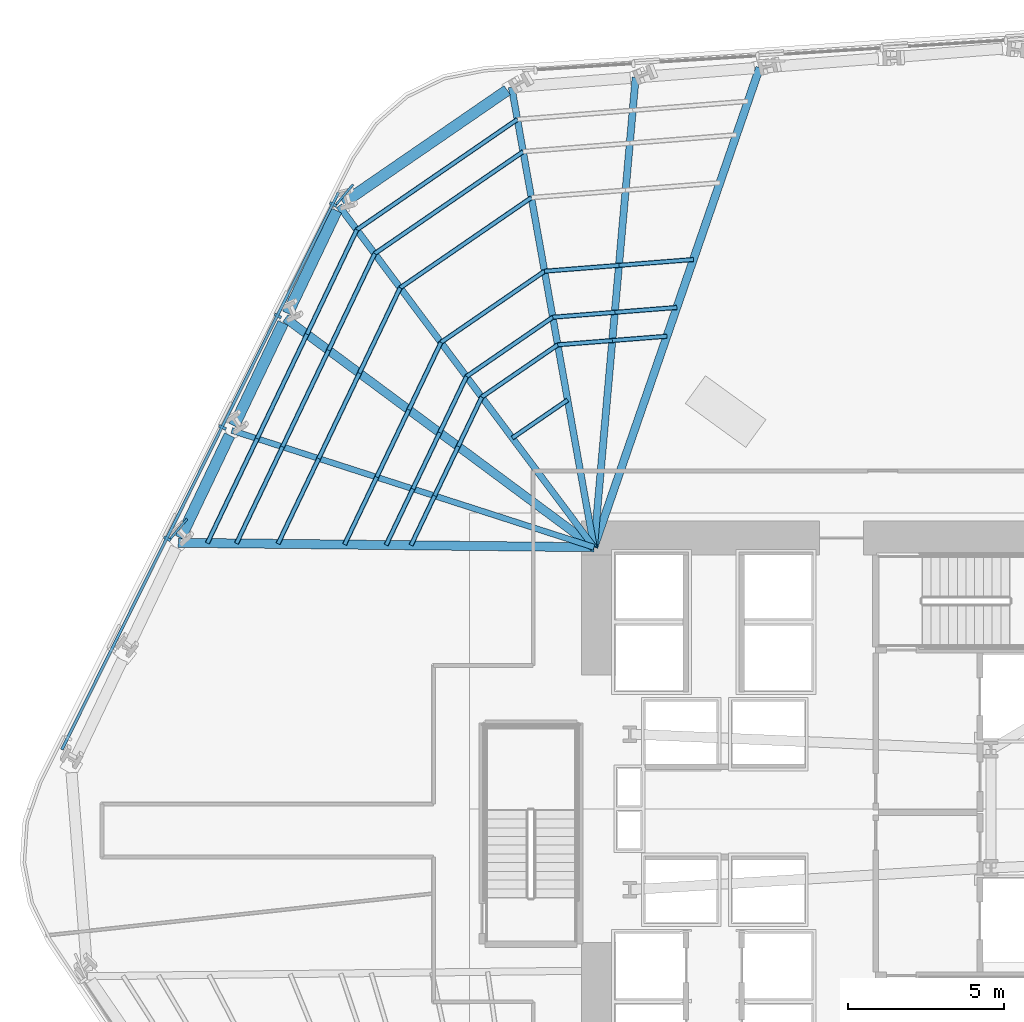
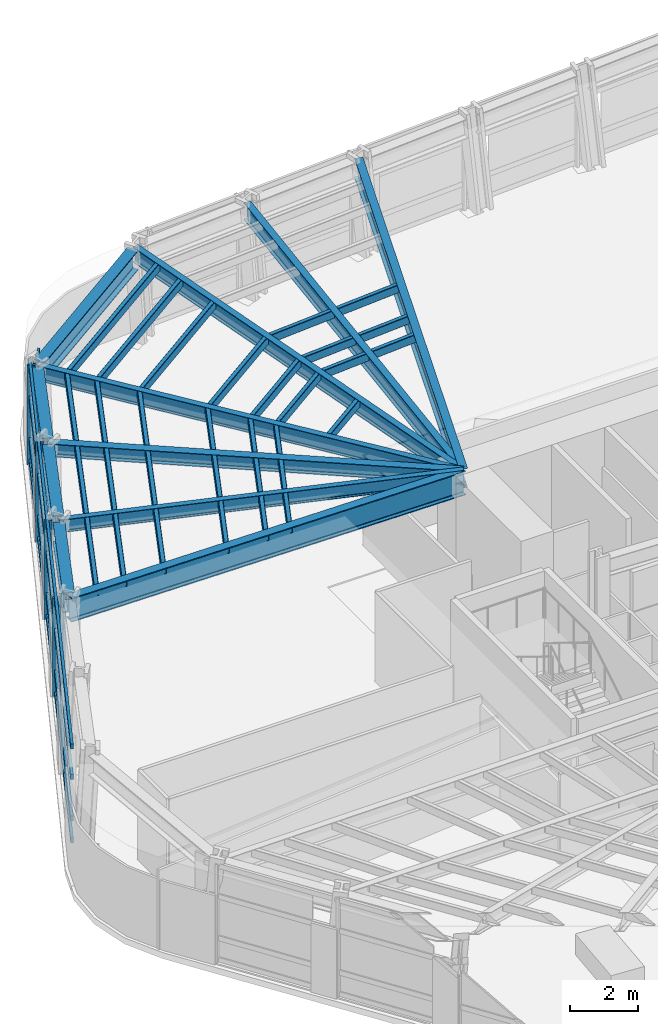
# One storey, part 5 of 15: 41 members, 11 beams, 1 element without a shape of its own.
"""IFC4 building model written with IfcOpenShell, lengths in metres."""

from ifc_helpers import new_model, si_unit, direction, frame, origin, origin_2d, place, context, subcontext, project, spatial, rectangle, hollow_rectangle, i_section, extrude, material, layer, layer_set, material_profile, profile_set, type_object, element, aggregate, save


model = new_model("IFC4")

# Units and contexts
model_context = context("Model", 3, precision=1e-05, world=origin(), true_north=direction((0.0, 1.0)))
body_context = subcontext(model_context, "Body", "Model", "MODEL_VIEW")
ifc_project = project(units=[si_unit("LENGTHUNIT", "METRE"), si_unit("AREAUNIT", "SQUARE_METRE"), si_unit("VOLUMEUNIT", "CUBIC_METRE"), si_unit("PLANEANGLEUNIT", "RADIAN"), si_unit("MASSUNIT", "GRAM", prefix="KILO")], contexts=[model_context])

# Site, building, storey
site_placement = place(None, origin())
site = spatial("IfcSite", under=ifc_project, at=site_placement, CompositionType="ELEMENT")
building_placement = place(site_placement, origin())
building = spatial("IfcBuilding", under=site, at=building_placement, Name="Valkerne Bourse Tower", CompositionType="ELEMENT")
storey_placement = place(building_placement, frame((0.0, 0.0, 39.199951171875)))
storey = spatial("IfcBuildingStorey", under=building, at=storey_placement, Name="L09", CompositionType="ELEMENT", Elevation=39.199951171875)

# Beams
ifc_material_1 = material(Name="Steel ASTM A992", Category="steel")
ifc_material_profile_1 = material_profile(ifc_material_1, i_section(OverallWidth=0.1904296875, OverallDepth=0.457275390625, WebThickness=0.009033203125, FlangeThickness=0.014404296875, FilletRadius=0.01513671875, at=origin_2d()), Name="W18X50")
ifc_profile_set_1 = profile_set([ifc_material_profile_1], Name="Steel ASTM A992")
beam_type_1 = type_object("IfcBeamType", Name="BM-W18X50", PredefinedType="JOIST", material=ifc_profile_set_1)
beam_1_placement = place(storey_placement, frame((25.968994140625, 39.1494140625, 3.3515625), z_axis=(0.951767347802, -0.306820657156, 0.0), x_axis=(0.306820657156, 0.951767347802, 0.0)))
element("IfcBeam", 1, at=beam_1_placement, inside=storey, type_object=beam_type_1, Name="L09 Radial Composite Floor Beam 14", PredefinedType="JOIST", context=body_context, shape_type="SweptSolid", body=[
    extrude(i_section(OverallWidth=0.1904296875, OverallDepth=0.457275390625, WebThickness=0.009033203125, FlangeThickness=0.014404296875, FilletRadius=0.01513671875, at=origin_2d()), origin(), (0.0, 0.0, 1.0), 12.220458984375),
])
ifc_material_profile_2 = material_profile(ifc_material_1, i_section(OverallWidth=0.279296875, OverallDepth=0.46240234375, WebThickness=0.0107421875, FlangeThickness=0.017333984375, FilletRadius=0.017822265625, at=origin_2d()), Name="W18X76")
ifc_profile_set_2 = profile_set([ifc_material_profile_2], Name="Steel ASTM A992")
beam_type_2 = type_object("IfcBeamType", Name="BM-W18X76", PredefinedType="BEAM", material=ifc_profile_set_2)
beam_2_placement = place(storey_placement, frame((27.689453125, 42.756103515625, 3.348876953125), z_axis=(0.802976181156, -0.596011117762, 0.0), x_axis=(0.596011117762, 0.802976181156, 0.0)))
element("IfcBeam", 2, at=beam_2_placement, inside=storey, type_object=beam_type_2, Name="L09 Radial Composite Floor Beam 13", PredefinedType="BEAM", context=body_context, shape_type="SweptSolid", body=[
    extrude(i_section(OverallWidth=0.279296875, OverallDepth=0.46240234375, WebThickness=0.0107421875, FlangeThickness=0.017333984375, FilletRadius=0.017822265625, at=origin_2d()), origin(), (0.0, 0.0, 1.0), 12.34228515625),
])
ifc_material_profile_3 = material_profile(ifc_material_1, i_section(OverallWidth=0.209228515625, OverallDepth=0.533447265625, WebThickness=0.01025390625, FlangeThickness=0.015625, FilletRadius=0.017822265625, at=origin_2d()), Name="W21X62")
ifc_profile_set_3 = profile_set([ifc_material_profile_3], Name="Steel ASTM A992")
beam_type_3 = type_object("IfcBeamType", Name="BM-W21X62", PredefinedType="JOIST", material=ifc_profile_set_3)
beam_3_placement = place(storey_placement, frame((29.40966796875, 46.363037109375, 3.313232421875), z_axis=(0.598506079762, -0.801118263734, 0.0), x_axis=(0.801118263734, 0.598506079762, 0.0)))
element("IfcBeam", 3, at=beam_3_placement, inside=storey, type_object=beam_type_3, Name="L09 Radial Composite Floor Beam 12", PredefinedType="JOIST", context=body_context, shape_type="SweptSolid", body=[
    extrude(i_section(OverallWidth=0.209228515625, OverallDepth=0.533447265625, WebThickness=0.01025390625, FlangeThickness=0.015625, FilletRadius=0.017822265625, at=origin_2d()), origin(), (0.0, 0.0, 1.0), 13.684814453125),
])
ifc_material_profile_4 = material_profile(ifc_material_1, i_section(OverallWidth=0.2138671875, OverallDepth=0.548583984375, WebThickness=0.0146484375, FlangeThickness=0.023681640625, FilletRadius=0.017822265625, at=origin_2d()), Name="W21X93")
ifc_profile_set_4 = profile_set([ifc_material_profile_4], Name="Steel ASTM A992")
beam_type_4 = type_object("IfcBeamType", Name="BM-W21X93", PredefinedType="BEAM", material=ifc_profile_set_4)
beam_4_placement = place(storey_placement, frame((34.955322265625, 50.17431640625, 3.3056640625), z_axis=(0.176209476858, -0.984352690993, 0.0), x_axis=(0.984352690993, 0.176209476858, 0.0)))
element("IfcBeam", 4, at=beam_4_placement, inside=storey, type_object=beam_type_4, Name="L09 Radial Composite Floor Beam 11", PredefinedType="BEAM", context=body_context, shape_type="SweptSolid", body=[
    extrude(i_section(OverallWidth=0.2138671875, OverallDepth=0.548583984375, WebThickness=0.0146484375, FlangeThickness=0.023681640625, FilletRadius=0.017822265625, at=origin_2d()), origin(), (0.0, 0.0, 1.0), 15.00927734375),
])
ifc_material_profile_5 = material_profile(ifc_material_1, i_section(OverallWidth=0.228271484375, OverallDepth=0.607177734375, WebThickness=0.01123046875, FlangeThickness=0.017333984375, FilletRadius=0.017822265625, at=origin_2d()), Name="W24X76")
ifc_profile_set_5 = profile_set([ifc_material_profile_5], Name="Steel ASTM A992")
beam_type_5 = type_object("IfcBeamType", Name="BM-W24X76", PredefinedType="JOIST", material=ifc_profile_set_5)
beam_5_placement = place(storey_placement, frame((38.93896484375, 50.48779296875, 3.2763671875), z_axis=(-0.088390534899, -0.996085896567, 0.0), x_axis=(0.996085896567, -0.088390534899, 0.0)))
element("IfcBeam", 5, at=beam_5_placement, inside=storey, type_object=beam_type_5, Name="L09 Radial Composite Floor Beam 10", PredefinedType="JOIST", context=body_context, shape_type="SweptSolid", body=[
    extrude(i_section(OverallWidth=0.228271484375, OverallDepth=0.607177734375, WebThickness=0.01123046875, FlangeThickness=0.017333984375, FilletRadius=0.017822265625, at=origin_2d()), origin(), (0.0, 0.0, 1.0), 15.147216796875),
])
ifc_material_profile_6 = material_profile(ifc_material_1, i_section(OverallWidth=0.255859375, OverallDepth=0.693359375, WebThickness=0.014404296875, FlangeThickness=0.023681640625, FilletRadius=0.02294921875, at=origin_2d()), Name="W27X114")
ifc_profile_set_6 = profile_set([ifc_material_profile_6], Name="Steel ASTM A992")
beam_type_6 = type_object("IfcBeamType", Name="BM-W27X114", PredefinedType="BEAM", material=ifc_profile_set_6)
beam_6_placement = place(storey_placement, frame((42.922607421875, 50.801513671875, 3.2333984375), z_axis=(-0.326627329755, -0.945153208457, 0.0), x_axis=(0.945153208457, -0.326627329755, 0.0)))
element("IfcBeam", 6, at=beam_6_placement, inside=storey, type_object=beam_type_6, Name="L09 Radial Composite Floor Beam 09", PredefinedType="BEAM", context=body_context, shape_type="SweptSolid", body=[
    extrude(i_section(OverallWidth=0.255859375, OverallDepth=0.693359375, WebThickness=0.014404296875, FlangeThickness=0.023681640625, FilletRadius=0.02294921875, at=origin_2d()), origin(), (0.0, 0.0, 1.0), 16.29541015625),
])
ifc_material_profile_7 = material_profile(ifc_material_1, i_section(OverallWidth=0.358154296875, OverallDepth=0.7060546875, WebThickness=0.018310546875, FlangeThickness=0.0302734375, FilletRadius=0.02294921875, at=origin_2d()), Name="W27X178")
ifc_profile_set_7 = profile_set([ifc_material_profile_7], Name="Steel ASTM A992")
beam_type_7 = type_object("IfcBeamType", Name="BM-W27X178", PredefinedType="SPANDREL", material=ifc_profile_set_7)
beam_7_placement = place(storey_placement, frame((34.815185546875, 50.077880859375, 3.22705078125), z_axis=(-0.824136684609, -0.566390964866, 0.0), x_axis=(0.566390964866, -0.824136684609, 0.0)))
element("IfcBeam", 7, at=beam_7_placement, inside=storey, type_object=beam_type_7, Name="L09 Hexagonal Spandrel Ring Beam 11", PredefinedType="SPANDREL", context=body_context, shape_type="SweptSolid", body=[
    extrude(i_section(OverallWidth=0.358154296875, OverallDepth=0.7060546875, WebThickness=0.018310546875, FlangeThickness=0.0302734375, FilletRadius=0.02294921875, at=origin_2d()), origin(), (0.0, 0.0, 1.0), 6.388916015625),
])
for number, where, z_axis, x_axis, name in (
    (8, (29.33642578125, 46.209716796875, 3.22705078125), (-0.430441557106, -0.902618449798, 0.0), (0.902618449798, -0.430441557106, 0.0), "L09 Hexagonal Spandrel Ring Beam 12"),
    (9, (27.6162109375, 42.602783203125, 3.22705078125), (-0.430521906438, -0.902580128341, 0.0), (0.902580128341, -0.430521906438, 0.0), "L09 Hexagonal Spandrel Ring Beam 13"),
):
    element("IfcBeam", number, at=place(storey_placement, frame(where, z_axis=z_axis, x_axis=x_axis)), inside=storey, type_object=beam_type_7, Name=name, PredefinedType="SPANDREL", context=body_context, shape_type="SweptSolid", body=[
        extrude(i_section(OverallWidth=0.358154296875, OverallDepth=0.7060546875, WebThickness=0.018310546875, FlangeThickness=0.0302734375, FilletRadius=0.02294921875, at=origin_2d()), origin(), (0.0, 0.0, 1.0), 3.656005859375),
    ])
beam_8_placement = place(storey_placement, frame((25.895751953125, 38.99609375, 3.22705078125), z_axis=(-0.430467502812, -0.902606076327, 0.0), x_axis=(0.902606076327, -0.430467502812, 0.0)))
element("IfcBeam", 10, at=beam_8_placement, inside=storey, type_object=beam_type_7, Name="L09 Hexagonal Spandrel Ring Beam 14", PredefinedType="SPANDREL", context=body_context, shape_type="SweptSolid", body=[
    extrude(i_section(OverallWidth=0.358154296875, OverallDepth=0.7060546875, WebThickness=0.018310546875, FlangeThickness=0.0302734375, FilletRadius=0.02294921875, at=origin_2d()), origin(), (0.0, 0.0, 1.0), 3.65576171875),
])
ifc_material_profile_8 = material_profile(ifc_material_1, i_section(OverallWidth=0.2919921875, OverallDepth=0.8583984375, WebThickness=0.01708984375, FlangeThickness=0.031005859375, FilletRadius=0.025390625, at=origin_2d()), Name="W33X169")
ifc_profile_set_8 = profile_set([ifc_material_profile_8], Name="Steel ASTM A992")
beam_type_8 = type_object("IfcBeamType", Name="BM-W33X169", PredefinedType="BEAM", material=ifc_profile_set_8)
beam_9_placement = place(storey_placement, frame((24.248779296875, 35.542724609375, 3.150634765625), z_axis=(0.999942789431, -0.010696628665, 0.0), x_axis=(0.010696628665, 0.999942789431, 0.0)))
element("IfcBeam", 11, at=beam_9_placement, inside=storey, type_object=beam_type_8, Name="L09 Radial Composite Floor Beam 15", PredefinedType="BEAM", context=body_context, shape_type="SweptSolid", body=[
    extrude(i_section(OverallWidth=0.2919921875, OverallDepth=0.8583984375, WebThickness=0.01708984375, FlangeThickness=0.031005859375, FilletRadius=0.025390625, at=origin_2d()), origin(), (0.0, 0.0, 1.0), 13.35205078125),
])

# Curtain wall, members
ifc_material_2 = material(Name="Aluminium AA 6063-T6", Category="aluminium")
ifc_layer = layer(ifc_material_2, 0.22509765625)
ifc_layer_set = layer_set([ifc_layer], Name="Aluminium AA 6063-T6")
curtain_wall_type = type_object("IfcCurtainWallType", Name="CW-01", PredefinedType="NOTDEFINED", material=ifc_layer_set)
curtain_wall_placement = place(storey_placement, origin())
curtain_wall = element("IfcCurtainWall", 12, at=curtain_wall_placement, inside=storey, type_object=curtain_wall_type, Name="L09 Hexagonal Stick Curtain Wall Face 3", PredefinedType="NOTDEFINED")
ifc_material_profile_9 = material_profile(ifc_material_2, rectangle(XDim=0.090087890625, YDim=0.239990234375, at=origin_2d()), Name="CWM-90X240")
ifc_profile_set_9 = profile_set([ifc_material_profile_9], Name="Aluminium AA 6063-T6")
member_type_1 = type_object("IfcMemberType", Name="CW-MUL-240X90", PredefinedType="MULLION", material=ifc_profile_set_9)
member_1_placement = place(storey_placement, frame((29.224609375, 46.40869140625, 0.0), z_axis=(0.0, 0.0, 1.0), x_axis=(-0.444649171351, -0.895704814332, 0.0)))
member_1 = element("IfcMember", 13, at=member_1_placement, type_object=member_type_1, Name="CW-L09-F3 Jamb Mullion 00A", PredefinedType="MULLION", context=body_context, shape_type="SweptSolid", body=[
    extrude(rectangle(XDim=0.090087890625, YDim=0.239990234375, at=origin_2d()), origin(), (0.0, 0.0, 1.0), 3.580078125),
])
member_2_placement = place(storey_placement, frame((27.447998046875, 42.82958984375, 0.0), z_axis=(0.0, 0.0, 1.0), x_axis=(-0.444619127058, -0.895719728405, 0.0)))
member_2 = element("IfcMember", 14, at=member_2_placement, type_object=member_type_1, Name="CW-L09-F3 Jamb Mullion 01A", PredefinedType="MULLION", context=body_context, shape_type="SweptSolid", body=[
    extrude(rectangle(XDim=0.090087890625, YDim=0.239990234375, at=origin_2d()), origin(), (0.0, 0.0, 1.0), 3.580078125),
])
member_3_placement = place(storey_placement, frame((25.671142578125, 39.250244140625, 0.0), z_axis=(0.0, 0.0, 1.0), x_axis=(-0.444639204615, -0.895709761987, 0.0)))
member_3 = element("IfcMember", 15, at=member_3_placement, type_object=member_type_1, Name="CW-L09-F3 Jamb Mullion 02A", PredefinedType="MULLION", context=body_context, shape_type="SweptSolid", body=[
    extrude(rectangle(XDim=0.090087890625, YDim=0.239990234375, at=origin_2d()), origin(), (0.0, 0.0, 1.0), 3.580078125),
])
member_4_placement = place(storey_placement, frame((23.894287109375, 35.6708984375, 0.0), z_axis=(0.0, 0.0, 1.0), x_axis=(-0.444649171351, -0.895704814332, 0.0)))
member_4 = element("IfcMember", 16, at=member_4_placement, type_object=member_type_1, Name="CW-L09-F3 Jamb Mullion 03A", PredefinedType="MULLION", context=body_context, shape_type="SweptSolid", body=[
    extrude(rectangle(XDim=0.090087890625, YDim=0.239990234375, at=origin_2d()), origin(), (0.0, 0.0, 1.0), 3.580078125),
])
ifc_material_profile_10 = material_profile(ifc_material_2, rectangle(XDim=0.090087890625, YDim=0.179931640625, at=origin_2d()), Name="CWT-90X180")
ifc_profile_set_10 = profile_set([ifc_material_profile_10], Name="Aluminium AA 6063-T6")
member_type_2 = type_object("IfcMemberType", Name="CW-TRN-180X90", PredefinedType="USERDEFINED", material=ifc_profile_set_10)
member_5_placement = place(storey_placement, frame((29.3935546875, 46.793701171875, 0.1201171875), z_axis=(-0.444635912408, -0.895711396264, 0.0), x_axis=(0.895711396264, -0.444635912408, 0.0)))
member_5 = element("IfcMember", 17, at=member_5_placement, type_object=member_type_2, Name="CW-L09-F3 Continuous Face Transom 1", ObjectType="TRANSOM", PredefinedType="USERDEFINED", context=body_context, shape_type="SweptSolid", body=[
    extrude(rectangle(XDim=0.090087890625, YDim=0.179931640625, at=origin_2d()), origin(), (0.0, 0.0, 1.0), 19.97998046875),
])
member_6_placement = place(storey_placement, frame((29.3935546875, 46.793701171875, 0.900146484375), z_axis=(-0.444635912408, -0.895711396264, 0.0), x_axis=(0.895711396264, -0.444635912408, 0.0)))
member_6 = element("IfcMember", 18, at=member_6_placement, type_object=member_type_2, Name="CW-L09-F3 Continuous Face Transom 2", ObjectType="TRANSOM", PredefinedType="USERDEFINED", context=body_context, shape_type="SweptSolid", body=[
    extrude(rectangle(XDim=0.090087890625, YDim=0.179931640625, at=origin_2d()), origin(), (0.0, 0.0, 1.0), 19.97998046875),
])
member_7_placement = place(storey_placement, frame((29.3935546875, 46.793701171875, 2.400146484375), z_axis=(-0.444635912408, -0.895711396264, 0.0), x_axis=(0.895711396264, -0.444635912408, 0.0)))
member_7 = element("IfcMember", 19, at=member_7_placement, type_object=member_type_2, Name="CW-L09-F3 Continuous Face Transom 3", ObjectType="TRANSOM", PredefinedType="USERDEFINED", context=body_context, shape_type="SweptSolid", body=[
    extrude(rectangle(XDim=0.090087890625, YDim=0.179931640625, at=origin_2d()), origin(), (0.0, 0.0, 1.0), 19.97998046875),
])
member_8_placement = place(storey_placement, frame((29.3935546875, 46.793701171875, 3.5), z_axis=(-0.444635912408, -0.895711396264, 0.0), x_axis=(0.895711396264, -0.444635912408, 0.0)))
member_8 = element("IfcMember", 20, at=member_8_placement, type_object=member_type_2, Name="CW-L09-F3 Continuous Face Transom 4", ObjectType="TRANSOM", PredefinedType="USERDEFINED", context=body_context, shape_type="SweptSolid", body=[
    extrude(rectangle(XDim=0.090087890625, YDim=0.179931640625, at=origin_2d()), origin(), (0.0, 0.0, 1.0), 19.97998046875),
])
aggregate(curtain_wall, [member_5, member_6, member_7, member_8, member_1, member_2, member_3, member_4])

# Members
ifc_material_3 = material(Name="Bronze Anodised Aluminium AA 6063-T6", Category="aluminium")
ifc_material_profile_11 = material_profile(ifc_material_3, rectangle(XDim=0.070068359375, YDim=0.89990234375, at=origin_2d()), Name="FIN-70X900")
ifc_profile_set_11 = profile_set([ifc_material_profile_11], Name="Bronze Anodised Aluminium AA 6063-T6")
member_type_3 = type_object("IfcMemberType", Name="FIN-SOLAR-900", PredefinedType="USERDEFINED", material=ifc_profile_set_11)
for number, where, z_axis, x_axis, name in (
    (21, (29.57275390625, 46.704833984375, 0.004150390625), (0.0, 0.0, 1.0), (-0.76551125592, 0.643422502762, 0.0), "L09 Bronze Anodised Solar Fin F3-00"),
    (22, (24.242431640625, 35.967041015625, 0.004150390625), (0.0, 0.0, 1.0), (-0.76551125592, 0.643422502762, 0.0), "L09 Bronze Anodised Solar Fin F3-03"),
):
    element("IfcMember", number, at=place(storey_placement, frame(where, z_axis=z_axis, x_axis=x_axis)), inside=storey, type_object=member_type_3, Name=name, ObjectType="SOLAR_FIN", PredefinedType="USERDEFINED", context=body_context, shape_type="SweptSolid", body=[
        extrude(rectangle(XDim=0.070068359375, YDim=0.89990234375, at=origin_2d()), origin(), (0.0, 0.0, 1.0), 3.57177734375),
    ])
ifc_material_4 = material(Name="Steel ASTM A500 Grade C", Category="steel")
ifc_material_profile_12 = material_profile(ifc_material_4, hollow_rectangle(XDim=0.14990234375, YDim=0.300048828125, WallThickness=0.012451171875, OuterFilletRadius=0.02490234375, at=origin_2d()), Name="HSS300X150X12.5")
ifc_profile_set_12 = profile_set([ifc_material_profile_12], Name="Steel ASTM A500 Grade C")
member_type_4 = type_object("IfcMemberType", Name="MBR-HSS300X150X12.5", PredefinedType="PURLIN", material=ifc_profile_set_12)
member_9_placement = place(storey_placement, frame((36.753662109375, 40.127685546875, 3.420166015625), z_axis=(-0.824170923283, -0.566341142082, 0.0), x_axis=(0.566341142082, -0.824170923283, 0.0)))
element("IfcMember", 23, at=member_9_placement, inside=storey, type_object=member_type_4, Name="L09 Secondary Composite Floor Purlin I-11", PredefinedType="PURLIN", context=body_context, shape_type="SweptSolid", body=[
    extrude(hollow_rectangle(XDim=0.14990234375, YDim=0.300048828125, WallThickness=0.012451171875, OuterFilletRadius=0.02490234375, at=origin_2d()), origin(), (0.0, 0.0, 1.0), 2.1533203125),
])
member_10_placement = place(storey_placement, frame((39.94189453125, 42.176513671875, 3.420166015625), z_axis=(-0.996917328881, -0.078459157378, 0.0), x_axis=(0.078459157378, -0.996917328881, 0.0)))
element("IfcMember", 24, at=member_10_placement, inside=storey, type_object=member_type_4, Name="L09 Secondary Composite Floor Purlin K-09", PredefinedType="PURLIN", context=body_context, shape_type="SweptSolid", body=[
    extrude(hollow_rectangle(XDim=0.14990234375, YDim=0.300048828125, WallThickness=0.012451171875, OuterFilletRadius=0.02490234375, at=origin_2d()), origin(), (0.0, 0.0, 1.0), 1.758056640625),
])
member_11_placement = place(storey_placement, frame((38.189208984375, 42.03857421875, 3.420166015625), z_axis=(-0.996918183539, -0.078448297173, 0.0), x_axis=(0.078448297173, -0.996918183539, 0.0)))
element("IfcMember", 25, at=member_11_placement, inside=storey, type_object=member_type_4, Name="L09 Secondary Composite Floor Purlin K-10", PredefinedType="PURLIN", context=body_context, shape_type="SweptSolid", body=[
    extrude(hollow_rectangle(XDim=0.14990234375, YDim=0.300048828125, WallThickness=0.012451171875, OuterFilletRadius=0.02490234375, at=origin_2d()), origin(), (0.0, 0.0, 1.0), 1.75830078125),
])
member_12_placement = place(storey_placement, frame((36.436279296875, 41.900634765625, 3.420166015625), z_axis=(-0.824114098128, -0.566423828301, 0.0), x_axis=(0.566423828301, -0.824114098128, 0.0)))
element("IfcMember", 26, at=member_12_placement, inside=storey, type_object=member_type_4, Name="L09 Secondary Composite Floor Purlin K-11", PredefinedType="PURLIN", context=body_context, shape_type="SweptSolid", body=[
    extrude(hollow_rectangle(XDim=0.14990234375, YDim=0.300048828125, WallThickness=0.012451171875, OuterFilletRadius=0.02490234375, at=origin_2d()), origin(), (0.0, 0.0, 1.0), 2.960693359375),
])
member_13_placement = place(storey_placement, frame((33.996337890625, 40.2236328125, 3.420166015625), z_axis=(-0.430585644779, -0.902549723013, 0.0), x_axis=(0.902549723013, -0.430585644779, 0.0)))
element("IfcMember", 27, at=member_13_placement, inside=storey, type_object=member_type_4, Name="L09 Secondary Composite Floor Purlin K-12", PredefinedType="PURLIN", context=body_context, shape_type="SweptSolid", body=[
    extrude(hollow_rectangle(XDim=0.14990234375, YDim=0.300048828125, WallThickness=0.012451171875, OuterFilletRadius=0.02490234375, at=origin_2d()), origin(), (0.0, 0.0, 1.0), 1.75830078125),
])
member_14_placement = place(storey_placement, frame((33.2392578125, 38.63671875, 3.420166015625), z_axis=(-0.430472524882, -0.902603681203, 0.0), x_axis=(0.902603681203, -0.430472524882, 0.0)))
element("IfcMember", 28, at=member_14_placement, inside=storey, type_object=member_type_4, Name="L09 Secondary Composite Floor Purlin K-13", PredefinedType="PURLIN", context=body_context, shape_type="SweptSolid", body=[
    extrude(hollow_rectangle(XDim=0.14990234375, YDim=0.300048828125, WallThickness=0.012451171875, OuterFilletRadius=0.02490234375, at=origin_2d()), origin(), (0.0, 0.0, 1.0), 1.758056640625),
])
member_15_placement = place(storey_placement, frame((32.482421875, 37.0498046875, 3.420166015625), z_axis=(-0.430585644779, -0.902549723013, 0.0), x_axis=(0.902549723013, -0.430585644779, 0.0)))
element("IfcMember", 29, at=member_15_placement, inside=storey, type_object=member_type_4, Name="L09 Secondary Composite Floor Purlin K-14", PredefinedType="PURLIN", context=body_context, shape_type="SweptSolid", body=[
    extrude(hollow_rectangle(XDim=0.14990234375, YDim=0.300048828125, WallThickness=0.012451171875, OuterFilletRadius=0.02490234375, at=origin_2d()), origin(), (0.0, 0.0, 1.0), 1.75830078125),
])
member_16_placement = place(storey_placement, frame((40.26123046875, 43.1005859375, 3.420166015625), z_axis=(-0.996918549522, -0.078443646132, 0.0), x_axis=(0.078443646132, -0.996918549522, 0.0)))
element("IfcMember", 30, at=member_16_placement, inside=storey, type_object=member_type_4, Name="L09 Secondary Composite Floor Purlin M-09", PredefinedType="PURLIN", context=body_context, shape_type="SweptSolid", body=[
    extrude(hollow_rectangle(XDim=0.14990234375, YDim=0.300048828125, WallThickness=0.012451171875, OuterFilletRadius=0.02490234375, at=origin_2d()), origin(), (0.0, 0.0, 1.0), 1.998046875),
])
member_17_placement = place(storey_placement, frame((38.269287109375, 42.94384765625, 3.420166015625), z_axis=(-0.996917797523, -0.078453202502, 0.0), x_axis=(0.078453202502, -0.996917797523, 0.0)))
element("IfcMember", 31, at=member_17_placement, inside=storey, type_object=member_type_4, Name="L09 Secondary Composite Floor Purlin M-10", PredefinedType="PURLIN", context=body_context, shape_type="SweptSolid", body=[
    extrude(hollow_rectangle(XDim=0.14990234375, YDim=0.300048828125, WallThickness=0.012451171875, OuterFilletRadius=0.02490234375, at=origin_2d()), origin(), (0.0, 0.0, 1.0), 1.997802734375),
])
member_18_placement = place(storey_placement, frame((36.277587890625, 42.787109375, 3.420166015625), z_axis=(-0.824141426203, -0.566384065468, 0.0), x_axis=(0.566384065468, -0.824141426203, 0.0)))
element("IfcMember", 32, at=member_18_placement, inside=storey, type_object=member_type_4, Name="L09 Secondary Composite Floor Purlin M-11", PredefinedType="PURLIN", context=body_context, shape_type="SweptSolid", body=[
    extrude(hollow_rectangle(XDim=0.14990234375, YDim=0.300048828125, WallThickness=0.012451171875, OuterFilletRadius=0.02490234375, at=origin_2d()), origin(), (0.0, 0.0, 1.0), 3.3642578125),
])
member_19_placement = place(storey_placement, frame((33.5048828125, 40.881591796875, 3.420166015625), z_axis=(-0.430469461925, -0.902605141992, 0.0), x_axis=(0.902605141992, -0.430469461925, 0.0)))
element("IfcMember", 33, at=member_19_placement, inside=storey, type_object=member_type_4, Name="L09 Secondary Composite Floor Purlin M-12", PredefinedType="PURLIN", context=body_context, shape_type="SweptSolid", body=[
    extrude(hollow_rectangle(XDim=0.14990234375, YDim=0.300048828125, WallThickness=0.012451171875, OuterFilletRadius=0.02490234375, at=origin_2d()), origin(), (0.0, 0.0, 1.0), 1.998046875),
])
member_20_placement = place(storey_placement, frame((32.644775390625, 39.078125, 3.420166015625), z_axis=(-0.430569000414, -0.902557663467, 0.0), x_axis=(0.902557663467, -0.430569000414, 0.0)))
element("IfcMember", 34, at=member_20_placement, inside=storey, type_object=member_type_4, Name="L09 Secondary Composite Floor Purlin M-13", PredefinedType="PURLIN", context=body_context, shape_type="SweptSolid", body=[
    extrude(hollow_rectangle(XDim=0.14990234375, YDim=0.300048828125, WallThickness=0.012451171875, OuterFilletRadius=0.02490234375, at=origin_2d()), origin(), (0.0, 0.0, 1.0), 1.998291015625),
])
member_21_placement = place(storey_placement, frame((31.784423828125, 37.274658203125, 3.420166015625), z_axis=(-0.430516942099, -0.902582496266, 0.0), x_axis=(0.902582496266, -0.430516942099, 0.0)))
element("IfcMember", 35, at=member_21_placement, inside=storey, type_object=member_type_4, Name="L09 Secondary Composite Floor Purlin M-14", PredefinedType="PURLIN", context=body_context, shape_type="SweptSolid", body=[
    extrude(hollow_rectangle(XDim=0.14990234375, YDim=0.300048828125, WallThickness=0.012451171875, OuterFilletRadius=0.02490234375, at=origin_2d()), origin(), (0.0, 0.0, 1.0), 1.997802734375),
])
member_22_placement = place(storey_placement, frame((35.590087890625, 46.62841796875, 3.420166015625), z_axis=(-0.824138025778, -0.566389013371, 0.0), x_axis=(0.566389013371, -0.824138025778, 0.0)))
element("IfcMember", 36, at=member_22_placement, inside=storey, type_object=member_type_4, Name="L09 Secondary Composite Floor Purlin O-11", PredefinedType="PURLIN", context=body_context, shape_type="SweptSolid", body=[
    extrude(hollow_rectangle(XDim=0.14990234375, YDim=0.300048828125, WallThickness=0.012451171875, OuterFilletRadius=0.02490234375, at=origin_2d()), origin(), (0.0, 0.0, 1.0), 5.114013671875),
])
for number, where, z_axis, x_axis, name in (
    (37, (31.37548828125, 43.73193359375, 3.420166015625), (-0.430545065803, -0.902569081186, 0.0), (0.902569081186, -0.430545065803, 0.0), "L09 Secondary Composite Floor Purlin O-12"),
    (38, (30.06787109375, 40.99072265625, 3.420166015625), (-0.430479577837, -0.902600317452, 0.0), (0.902600317452, -0.430479577837, 0.0), "L09 Secondary Composite Floor Purlin O-13"),
):
    element("IfcMember", number, at=place(storey_placement, frame(where, z_axis=z_axis, x_axis=x_axis)), inside=storey, type_object=member_type_4, Name=name, PredefinedType="PURLIN", context=body_context, shape_type="SweptSolid", body=[
        extrude(hollow_rectangle(XDim=0.14990234375, YDim=0.300048828125, WallThickness=0.012451171875, OuterFilletRadius=0.02490234375, at=origin_2d()), origin(), (0.0, 0.0, 1.0), 3.037109375),
    ])
member_23_placement = place(storey_placement, frame((28.760498046875, 38.24951171875, 3.420166015625), z_axis=(-0.430576305372, -0.902554178569, 0.0), x_axis=(0.902554178569, -0.430576305372, 0.0)))
element("IfcMember", 39, at=member_23_placement, inside=storey, type_object=member_type_4, Name="L09 Secondary Composite Floor Purlin O-14", PredefinedType="PURLIN", context=body_context, shape_type="SweptSolid", body=[
    extrude(hollow_rectangle(XDim=0.14990234375, YDim=0.300048828125, WallThickness=0.012451171875, OuterFilletRadius=0.02490234375, at=origin_2d()), origin(), (0.0, 0.0, 1.0), 3.036865234375),
])
member_24_placement = place(storey_placement, frame((40.793701171875, 44.640869140625, 3.420166015625), z_axis=(-0.996913895592, -0.078502769227, 0.0), x_axis=(0.078502769227, -0.996913895592, 0.0)))
element("IfcMember", 40, at=member_24_placement, inside=storey, type_object=member_type_4, Name="L09 Secondary Composite Floor Purlin Z-09", PredefinedType="PURLIN", context=body_context, shape_type="SweptSolid", body=[
    extrude(hollow_rectangle(XDim=0.14990234375, YDim=0.300048828125, WallThickness=0.012451171875, OuterFilletRadius=0.02490234375, at=origin_2d()), origin(), (0.0, 0.0, 1.0), 2.397705078125),
])
member_25_placement = place(storey_placement, frame((38.4033203125, 44.45263671875, 3.420166015625), z_axis=(-0.996921232993, -0.078409535179, 0.0), x_axis=(0.078409535179, -0.996921232993, 0.0)))
element("IfcMember", 41, at=member_25_placement, inside=storey, type_object=member_type_4, Name="L09 Secondary Composite Floor Purlin Z-10", PredefinedType="PURLIN", context=body_context, shape_type="SweptSolid", body=[
    extrude(hollow_rectangle(XDim=0.14990234375, YDim=0.300048828125, WallThickness=0.012451171875, OuterFilletRadius=0.02490234375, at=origin_2d()), origin(), (0.0, 0.0, 1.0), 2.3974609375),
])
member_26_placement = place(storey_placement, frame((36.01318359375, 44.2646484375, 3.420166015625), z_axis=(-0.824124838983, -0.566408200657, 0.0), x_axis=(0.566408200657, -0.824124838983, 0.0)))
element("IfcMember", 42, at=member_26_placement, inside=storey, type_object=member_type_4, Name="L09 Secondary Composite Floor Purlin Z-11", PredefinedType="PURLIN", context=body_context, shape_type="SweptSolid", body=[
    extrude(hollow_rectangle(XDim=0.14990234375, YDim=0.300048828125, WallThickness=0.012451171875, OuterFilletRadius=0.02490234375, at=origin_2d()), origin(), (0.0, 0.0, 1.0), 4.03759765625),
])
for number, where, z_axis, x_axis, name in (
    (43, (32.685791015625, 41.977783203125, 3.420166015625), (-0.430518469525, -0.902581767708, 0.0), (0.902581767708, -0.430518469525, 0.0), "L09 Secondary Composite Floor Purlin Z-12"),
    (44, (31.653564453125, 39.813720703125, 3.420166015625), (-0.430518469525, -0.902581767708, 0.0), (0.902581767708, -0.430518469525, 0.0), "L09 Secondary Composite Floor Purlin Z-13"),
    (45, (30.621337890625, 37.649658203125, 3.420166015625), (-0.430518469525, -0.902581767708, 0.0), (0.902581767708, -0.430518469525, 0.0), "L09 Secondary Composite Floor Purlin Z-14"),
):
    element("IfcMember", number, at=place(storey_placement, frame(where, z_axis=z_axis, x_axis=x_axis)), inside=storey, type_object=member_type_4, Name=name, PredefinedType="PURLIN", context=body_context, shape_type="SweptSolid", body=[
        extrude(hollow_rectangle(XDim=0.14990234375, YDim=0.300048828125, WallThickness=0.012451171875, OuterFilletRadius=0.02490234375, at=origin_2d()), origin(), (0.0, 0.0, 1.0), 2.397705078125),
    ])
member_27_placement = place(storey_placement, frame((35.32568359375, 48.10595703125, 3.420166015625), z_axis=(-0.82412684884, -0.5664052763, 0.0), x_axis=(0.5664052763, -0.82412684884, 0.0)))
element("IfcMember", 46, at=member_27_placement, inside=storey, type_object=member_type_4, Name="L09 Secondary Composite Floor Purlin T-11", PredefinedType="PURLIN", context=body_context, shape_type="SweptSolid", body=[
    extrude(hollow_rectangle(XDim=0.14990234375, YDim=0.300048828125, WallThickness=0.012451171875, OuterFilletRadius=0.02490234375, at=origin_2d()), origin(), (0.0, 0.0, 1.0), 5.787109375),
])
for number, where, z_axis, x_axis, name in (
    (47, (30.556396484375, 44.828125, 3.420166015625), (-0.430512593281, -0.902584570567, 0.0), (0.902584570567, -0.430512593281, 0.0), "L09 Secondary Composite Floor Purlin T-12"),
    (48, (29.076904296875, 41.726318359375, 3.420166015625), (-0.430512593281, -0.902584570567, 0.0), (0.902584570567, -0.430512593281, 0.0), "L09 Secondary Composite Floor Purlin T-13"),
    (49, (27.597412109375, 38.62451171875, 3.420166015625), (-0.430512593281, -0.902584570567, 0.0), (0.902584570567, -0.430512593281, 0.0), "L09 Secondary Composite Floor Purlin T-14"),
):
    element("IfcMember", number, at=place(storey_placement, frame(where, z_axis=z_axis, x_axis=x_axis)), inside=storey, type_object=member_type_4, Name=name, PredefinedType="PURLIN", context=body_context, shape_type="SweptSolid", body=[
        extrude(hollow_rectangle(XDim=0.14990234375, YDim=0.300048828125, WallThickness=0.012451171875, OuterFilletRadius=0.02490234375, at=origin_2d()), origin(), (0.0, 0.0, 1.0), 3.4365234375),
    ])
member_28_placement = place(storey_placement, frame((35.140380859375, 49.14013671875, 3.420166015625), z_axis=(-0.824140943566, -0.566384767749, 0.0), x_axis=(0.566384767749, -0.824140943566, 0.0)))
element("IfcMember", 50, at=member_28_placement, inside=storey, type_object=member_type_4, Name="L09 Secondary Composite Floor Purlin U-11", PredefinedType="PURLIN", context=body_context, shape_type="SweptSolid", body=[
    extrude(hollow_rectangle(XDim=0.14990234375, YDim=0.300048828125, WallThickness=0.012451171875, OuterFilletRadius=0.02490234375, at=origin_2d()), origin(), (0.0, 0.0, 1.0), 6.258056640625),
])
member_29_placement = place(storey_placement, frame((29.98291015625, 45.595703125, 3.420166015625), z_axis=(-0.430476641682, -0.902601717795, 0.0), x_axis=(0.902601717795, -0.430476641682, 0.0)))
element("IfcMember", 51, at=member_29_placement, inside=storey, type_object=member_type_4, Name="L09 Secondary Composite Floor Purlin U-12", PredefinedType="PURLIN", context=body_context, shape_type="SweptSolid", body=[
    extrude(hollow_rectangle(XDim=0.14990234375, YDim=0.300048828125, WallThickness=0.012451171875, OuterFilletRadius=0.02490234375, at=origin_2d()), origin(), (0.0, 0.0, 1.0), 3.716552734375),
])
for number, where, z_axis, x_axis, name in (
    (52, (28.383056640625, 42.2412109375, 3.420166015625), (-0.430502167401, -0.902589543404, 0.0), (0.902589543404, -0.430502167401, 0.0), "L09 Secondary Composite Floor Purlin U-13"),
    (53, (26.783203125, 38.886962890625, 3.420166015625), (-0.430502167401, -0.902589543404, 0.0), (0.902589543404, -0.430502167401, 0.0), "L09 Secondary Composite Floor Purlin U-14"),
):
    element("IfcMember", number, at=place(storey_placement, frame(where, z_axis=z_axis, x_axis=x_axis)), inside=storey, type_object=member_type_4, Name=name, PredefinedType="PURLIN", context=body_context, shape_type="SweptSolid", body=[
        extrude(hollow_rectangle(XDim=0.14990234375, YDim=0.300048828125, WallThickness=0.012451171875, OuterFilletRadius=0.02490234375, at=origin_2d()), origin(), (0.0, 0.0, 1.0), 3.71630859375),
    ])

save(model, "model.ifc")
